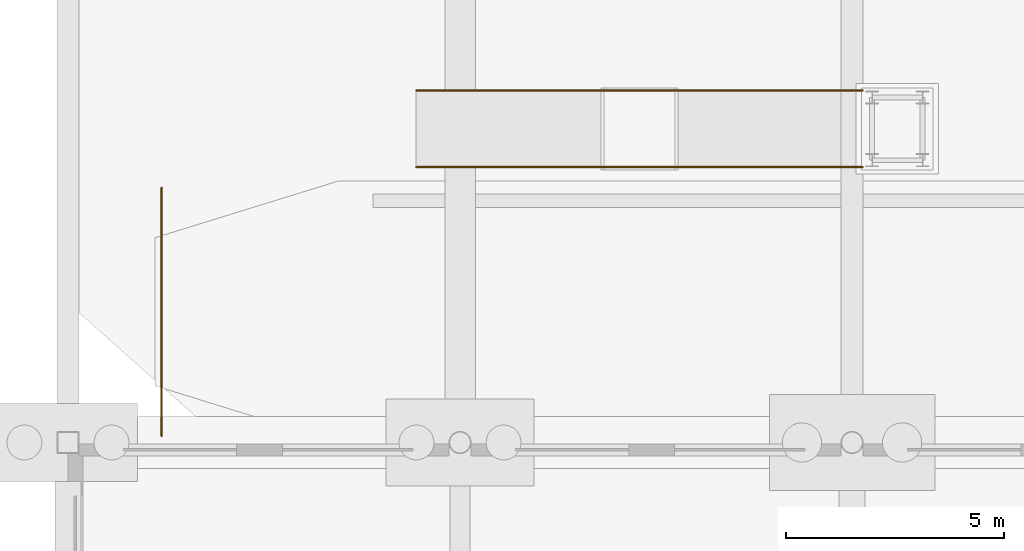
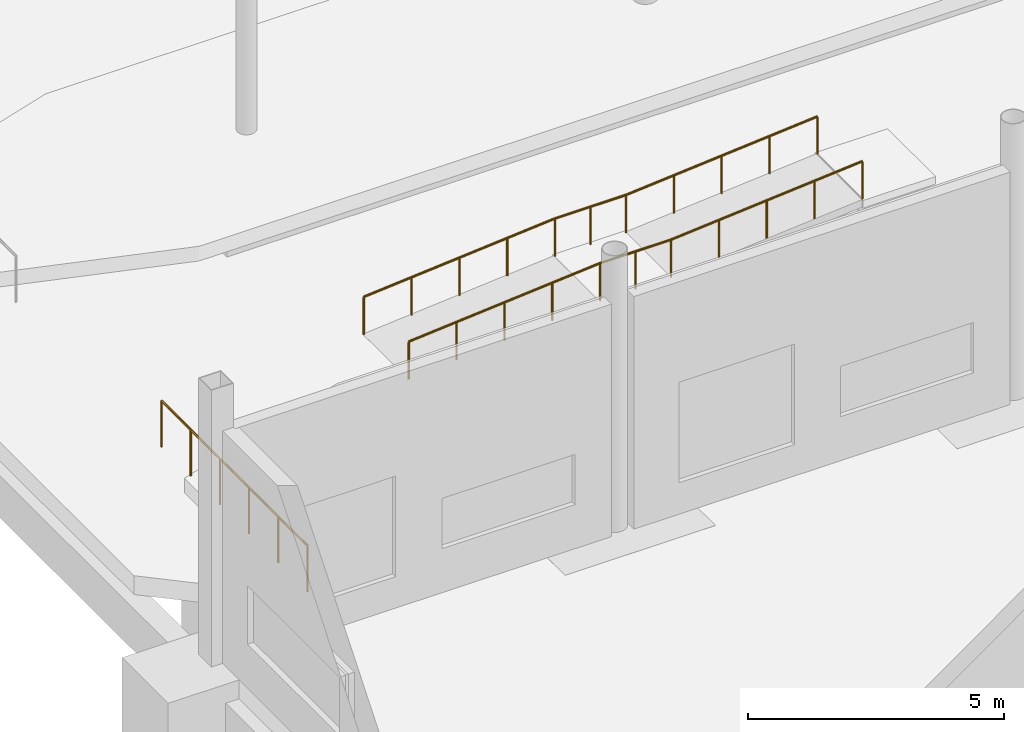
# One storey, part 99 of 115: 3 railings.
"""IFC4 building model written with IfcOpenShell, lengths in metres."""

from ifc_helpers import new_model, si_unit, direction, frame, origin, origin_2d, place, context, subcontext, project, spatial, circle, extrude, material, type_object, element, save


model = new_model("IFC4")

# Units and contexts
model_context = context("Model", 3, precision=1e-05, world=origin(), true_north=direction((0.0, 1.0)))
body_context = subcontext(model_context, "Body", "Model", "MODEL_VIEW")
ifc_project = project(units=[si_unit("LENGTHUNIT", "METRE"), si_unit("AREAUNIT", "SQUARE_METRE"), si_unit("VOLUMEUNIT", "CUBIC_METRE"), si_unit("PLANEANGLEUNIT", "RADIAN"), si_unit("MASSUNIT", "GRAM", prefix="KILO")], contexts=[model_context])

# Site, building, storey
site_placement = place(None, origin())
site = spatial("IfcSite", under=ifc_project, at=site_placement, CompositionType="ELEMENT")
building_placement = place(site_placement, origin())
building = spatial("IfcBuilding", under=site, at=building_placement, Name="Tamarisk Ironworks Central Station", CompositionType="ELEMENT")
storey_placement = place(building_placement, origin())
storey = spatial("IfcBuildingStorey", under=building, at=storey_placement, Name="L00", CompositionType="ELEMENT", Elevation=0.0)

# Railings
ifc_material = material(Name="Brushed stainless steel AISI 316", Category="steel")
railing_type_1 = type_object("IfcRailingType", Name="RL-GUARD-INT", PredefinedType="BALUSTRADE", material=ifc_material)
railing_1_placement = place(storey_placement, frame((2.14990234375, 21.75, 0.719970703125)))
element("IfcRailing", 1, at=railing_1_placement, inside=storey, type_object=railing_type_1, Name="P1 west buffer-end safety guard", PredefinedType="BALUSTRADE", context=body_context, shape_type="SweptSolid", body=[
    extrude(circle(Radius=0.02392578125, at=origin_2d()), frame((0.0, 0.0, 1.09619140625), z_axis=(0.0, 1.0, 0.0), x_axis=(-1.0, 0.0, 0.0)), (0.0, 0.0, 1.0), 5.699951171875),
    extrude(circle(Radius=0.02099609375, at=origin_2d()), origin(), (0.0, 0.0, 1.0), 1.072021484375),
    extrude(circle(Radius=0.02099609375, at=origin_2d()), frame((0.0, 1.139892578125, 0.0)), (0.0, 0.0, 1.0), 1.072021484375),
    extrude(circle(Radius=0.02099609375, at=origin_2d()), frame((0.0, 2.280029296875, 0.0)), (0.0, 0.0, 1.0), 1.072021484375),
    extrude(circle(Radius=0.02099609375, at=origin_2d()), frame((0.0, 3.419921875, 0.0)), (0.0, 0.0, 1.0), 1.072021484375),
    extrude(circle(Radius=0.02099609375, at=origin_2d()), frame((0.0, 4.56005859375, 0.0)), (0.0, 0.0, 1.0), 1.072021484375),
    extrude(circle(Radius=0.02099609375, at=origin_2d()), frame((0.0, 5.699951171875, 0.0)), (0.0, 0.0, 1.0), 1.072021484375),
])
railing_type_2 = type_object("IfcRailingType", Name="RL-RAMP", PredefinedType="HANDRAIL", material=ifc_material)
railing_2_placement = place(storey_placement, frame((8.0, 27.919921875, 0.0)))
element("IfcRailing", 2, at=railing_2_placement, inside=storey, type_object=railing_type_2, Name="RMP-P1W accessible handrail S", PredefinedType="HANDRAIL", context=body_context, shape_type="SweptSolid", body=[
    extrude(circle(Radius=0.02392578125, at=origin_2d()), frame((0.0, 0.0, 0.89599609375), z_axis=(0.996543815979, 0.0, 0.083068783756), x_axis=(0.0, 1.0, 0.0)), (0.0, 0.0, 1.0), 4.3349609375),
    extrude(circle(Radius=0.02392578125, at=origin_2d()), frame((4.320068359375, 0.0, 1.255859375), z_axis=(1.0, 0.0, 0.0), x_axis=(0.0, 1.0, 0.0)), (0.0, 0.0, 1.0), 1.599853515625),
    extrude(circle(Radius=0.02392578125, at=origin_2d()), frame((5.919921875, 0.0, 1.255859375), z_axis=(0.996548476515, 0.0, 0.083012854161), x_axis=(0.0, 1.0, 0.0)), (0.0, 0.0, 1.0), 4.3349609375),
    extrude(circle(Radius=0.02099609375, at=origin_2d()), origin(), (0.0, 0.0, 1.0), 0.871826171875),
    extrude(circle(Radius=0.02099609375, at=origin_2d()), frame((1.080078125, 0.0, 0.090087890625)), (0.0, 0.0, 1.0), 0.871826171875),
    extrude(circle(Radius=0.02099609375, at=origin_2d()), frame((2.16015625, 0.0, 0.18017578125)), (0.0, 0.0, 1.0), 0.871826171875),
    extrude(circle(Radius=0.02099609375, at=origin_2d()), frame((3.239990234375, 0.0, 0.27001953125)), (0.0, 0.0, 1.0), 0.871826171875),
    extrude(circle(Radius=0.02099609375, at=origin_2d()), frame((4.320068359375, 0.0, 0.360107421875)), (0.0, 0.0, 1.0), 0.871826171875),
    extrude(circle(Radius=0.02099609375, at=origin_2d()), frame((5.1201171875, 0.0, 0.360107421875)), (0.0, 0.0, 1.0), 0.871826171875),
    extrude(circle(Radius=0.02099609375, at=origin_2d()), frame((5.919921875, 0.0, 0.360107421875)), (0.0, 0.0, 1.0), 0.871826171875),
    extrude(circle(Radius=0.02099609375, at=origin_2d()), frame((7.0, 0.0, 0.4501953125)), (0.0, 0.0, 1.0), 0.871826171875),
    extrude(circle(Radius=0.02099609375, at=origin_2d()), frame((8.080078125, 0.0, 0.5400390625)), (0.0, 0.0, 1.0), 0.871826171875),
    extrude(circle(Radius=0.02099609375, at=origin_2d()), frame((9.159912109375, 0.0, 0.6298828125)), (0.0, 0.0, 1.0), 0.871826171875),
    extrude(circle(Radius=0.02099609375, at=origin_2d()), frame((10.239990234375, 0.0, 0.719970703125)), (0.0, 0.0, 1.0), 0.871826171875),
])
railing_3_placement = place(storey_placement, frame((8.0, 29.679931640625, 0.0)))
element("IfcRailing", 3, at=railing_3_placement, inside=storey, type_object=railing_type_2, Name="RMP-P1W accessible handrail N", PredefinedType="HANDRAIL", context=body_context, shape_type="SweptSolid", body=[
    extrude(circle(Radius=0.02392578125, at=origin_2d()), frame((0.0, 0.0, 0.89599609375), z_axis=(0.996543815979, 0.0, 0.083068783756), x_axis=(0.0, 1.0, 0.0)), (0.0, 0.0, 1.0), 4.3349609375),
    extrude(circle(Radius=0.02392578125, at=origin_2d()), frame((4.320068359375, 0.0, 1.255859375), z_axis=(1.0, 0.0, 0.0), x_axis=(0.0, 1.0, 0.0)), (0.0, 0.0, 1.0), 1.599853515625),
    extrude(circle(Radius=0.02392578125, at=origin_2d()), frame((5.919921875, 0.0, 1.255859375), z_axis=(0.996548476515, 0.0, 0.083012854161), x_axis=(0.0, 1.0, 0.0)), (0.0, 0.0, 1.0), 4.3349609375),
    extrude(circle(Radius=0.02099609375, at=origin_2d()), origin(), (0.0, 0.0, 1.0), 0.871826171875),
    extrude(circle(Radius=0.02099609375, at=origin_2d()), frame((1.080078125, 0.0, 0.090087890625)), (0.0, 0.0, 1.0), 0.871826171875),
    extrude(circle(Radius=0.02099609375, at=origin_2d()), frame((2.16015625, 0.0, 0.18017578125)), (0.0, 0.0, 1.0), 0.871826171875),
    extrude(circle(Radius=0.02099609375, at=origin_2d()), frame((3.239990234375, 0.0, 0.27001953125)), (0.0, 0.0, 1.0), 0.871826171875),
    extrude(circle(Radius=0.02099609375, at=origin_2d()), frame((4.320068359375, 0.0, 0.360107421875)), (0.0, 0.0, 1.0), 0.871826171875),
    extrude(circle(Radius=0.02099609375, at=origin_2d()), frame((5.1201171875, 0.0, 0.360107421875)), (0.0, 0.0, 1.0), 0.871826171875),
    extrude(circle(Radius=0.02099609375, at=origin_2d()), frame((5.919921875, 0.0, 0.360107421875)), (0.0, 0.0, 1.0), 0.871826171875),
    extrude(circle(Radius=0.02099609375, at=origin_2d()), frame((7.0, 0.0, 0.4501953125)), (0.0, 0.0, 1.0), 0.871826171875),
    extrude(circle(Radius=0.02099609375, at=origin_2d()), frame((8.080078125, 0.0, 0.5400390625)), (0.0, 0.0, 1.0), 0.871826171875),
    extrude(circle(Radius=0.02099609375, at=origin_2d()), frame((9.159912109375, 0.0, 0.6298828125)), (0.0, 0.0, 1.0), 0.871826171875),
    extrude(circle(Radius=0.02099609375, at=origin_2d()), frame((10.239990234375, 0.0, 0.719970703125)), (0.0, 0.0, 1.0), 0.871826171875),
])

save(model, "model.ifc")
